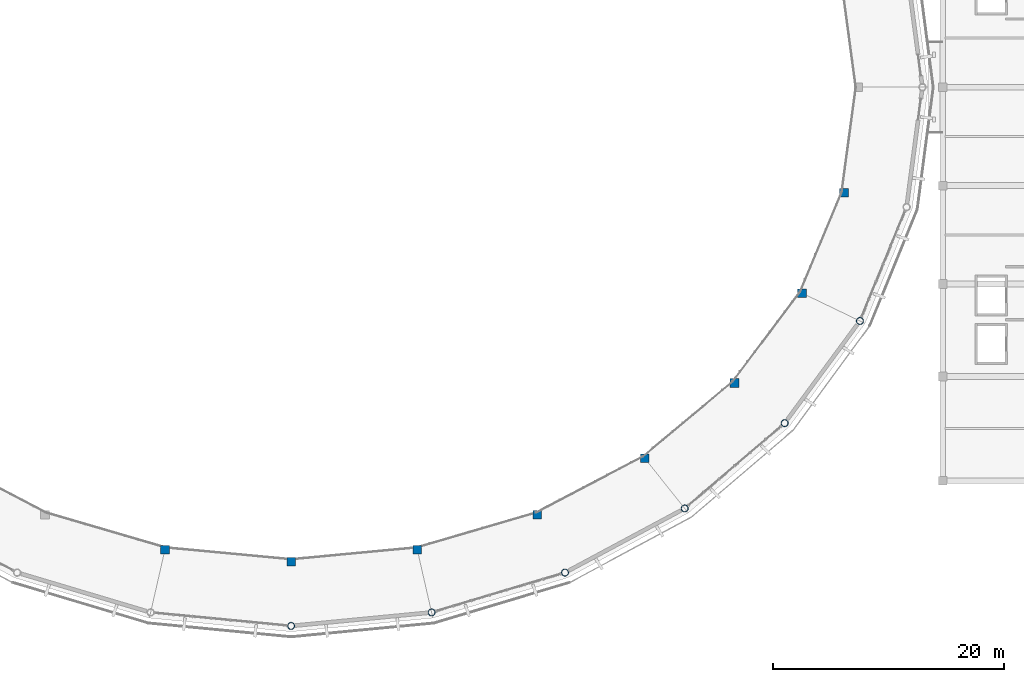
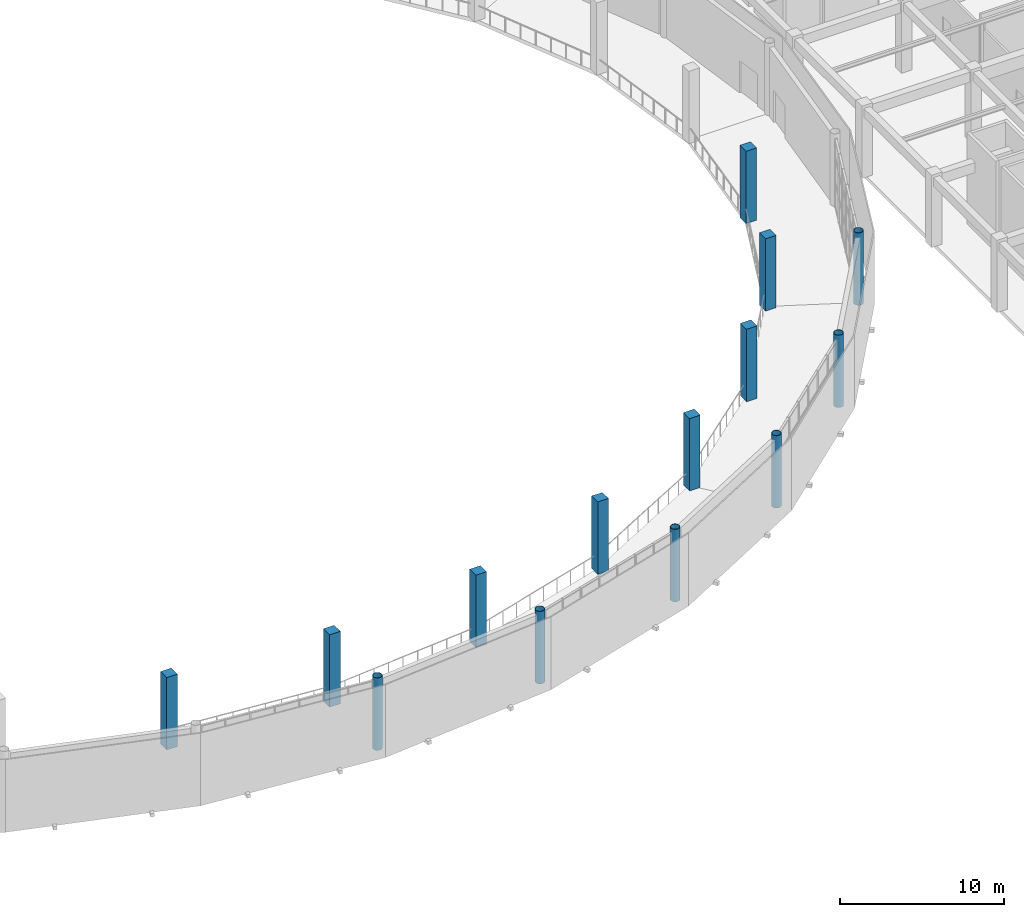
# One storey, part 3 of 40: 14 columns.
"""IFC4 building model written with IfcOpenShell, lengths in metres."""

from ifc_helpers import new_model, si_unit, direction, frame, origin, origin_2d, place, context, subcontext, project, spatial, rectangle, hollow_circle, extrude, material, material_profile, profile_set, type_object, element, save


model = new_model("IFC4")

# Units and contexts
model_context = context("Model", 3, precision=1e-05, world=origin(), true_north=direction((0.0, 1.0)))
body_context = subcontext(model_context, "Body", "Model", "MODEL_VIEW")
ifc_project = project(units=[si_unit("LENGTHUNIT", "METRE"), si_unit("AREAUNIT", "SQUARE_METRE"), si_unit("VOLUMEUNIT", "CUBIC_METRE"), si_unit("PLANEANGLEUNIT", "RADIAN"), si_unit("MASSUNIT", "GRAM", prefix="KILO")], contexts=[model_context])

# Site, building, storey
site_placement = place(None, origin())
site = spatial("IfcSite", under=ifc_project, at=site_placement, CompositionType="ELEMENT")
building_placement = place(site_placement, origin())
building = spatial("IfcBuilding", under=site, at=building_placement, Name="Cuetzalor Civic Arena", CompositionType="ELEMENT")
storey_placement = place(building_placement, frame((0.0, 0.0, 26.39990234375)))
storey = spatial("IfcBuildingStorey", under=building, at=storey_placement, Name="L05", CompositionType="ELEMENT", Elevation=26.39990234375)

# Columns
ifc_material_1 = material(Name="Concrete C40/50", Category="concrete")
ifc_material_profile_1 = material_profile(ifc_material_1, rectangle(XDim=0.75, YDim=0.75, at=origin_2d()), Name="RC 750x750")
ifc_profile_set_1 = profile_set([ifc_material_profile_1], Name="Concrete C40/50")
column_type_1 = type_object("IfcColumnType", Name="ConcreteColumn_750", PredefinedType="COLUMN", material=ifc_profile_set_1)
for number, where, z_axis, x_axis, name in (
    (1, (-10.903564453125, -39.971923828125, 0.0), (0.0, 0.0, 1.0), (1.0, 0.0, 0.0), "Column V1-REC-21 L05"),
    (2, (0.0, -41.0, 0.0), (0.0, 0.0, 1.0), (1.0, 0.0, 0.0), "Column V1-REC-22 L05"),
    (3, (10.903564453125, -39.971923828125, 0.0), (0.0, 0.0, 1.0), (1.0, 0.0, 0.0), "Column V1-REC-23 L05"),
    (4, (21.26025390625, -36.939697265625, 0.0), (0.0, 0.0, 1.0), (1.0, 0.0, 0.0), "Column V1-REC-24 L05"),
    (5, (30.551025390625, -32.05517578125, 0.0), (0.0, 0.0, 1.0), (1.0, 0.0, 0.0), "Column V1-REC-25 L05"),
    (6, (38.309814453125, -25.56298828125, 0.0), (0.0, 0.0, 1.0), (1.0, 0.0, 0.0), "Column V1-REC-26 L05"),
    (7, (44.1474609375, -17.789306640625, 0.0), (0.0, 0.0, 1.0), (1.0, 0.0, 0.0), "Column V1-REC-27 L05"),
    (8, (47.771484375, -9.123291015625, 0.0), (0.0, 0.0, 1.0), (1.0, 0.0, 0.0), "Column V1-REC-28 L05"),
):
    element("IfcColumn", number, at=place(storey_placement, frame(where, z_axis=z_axis, x_axis=x_axis)), inside=storey, type_object=column_type_1, Name=name, PredefinedType="COLUMN", context=body_context, shape_type="SweptSolid", body=[
        extrude(rectangle(XDim=0.75, YDim=0.75, at=origin_2d()), origin(), (0.0, 0.0, 1.0), 5.400146484375),
    ])
ifc_material_2 = material(Name="Steel S355", Category="steel")
ifc_material_profile_2 = material_profile(ifc_material_2, hollow_circle(Radius=0.304931640625, WallThickness=0.02490234375, at=origin_2d()), Name="CHS 610x25")
ifc_profile_set_2 = profile_set([ifc_material_profile_2], Name="Steel S355")
column_type_2 = type_object("IfcColumnType", Name="SteelDomePylon_CHS610", PredefinedType="COLUMN", material=ifc_profile_set_2)
for number, where, z_axis, x_axis, name in (
    (9, (0.0, -46.550048828125, 0.0), (0.0, 0.0, 1.0), (1.0, 0.0, 0.0), "Column V1-PYL-22 L05"),
    (10, (12.138427734375, -45.3828125, 0.0), (0.0, 0.0, 1.0), (1.0, 0.0, 0.0), "Column V1-PYL-23 L05"),
    (11, (23.66845703125, -41.940185546875, 0.0), (0.0, 0.0, 1.0), (1.0, 0.0, 0.0), "Column V1-PYL-24 L05"),
    (12, (34.011474609375, -36.394287109375, 0.0), (0.0, 0.0, 1.0), (1.0, 0.0, 0.0), "Column V1-PYL-25 L05"),
    (13, (42.64892578125, -29.0234375, 0.0), (0.0, 0.0, 1.0), (1.0, 0.0, 0.0), "Column V1-PYL-26 L05"),
    (14, (49.14794921875, -20.197265625, 0.0), (0.0, 0.0, 1.0), (1.0, 0.0, 0.0), "Column V1-PYL-27 L05"),
):
    element("IfcColumn", number, at=place(storey_placement, frame(where, z_axis=z_axis, x_axis=x_axis)), inside=storey, type_object=column_type_2, Name=name, PredefinedType="COLUMN", context=body_context, shape_type="SweptSolid", body=[
        extrude(hollow_circle(Radius=0.304931640625, WallThickness=0.02490234375, at=origin_2d()), origin(), (0.0, 0.0, 1.0), 5.400146484375),
    ])

save(model, "model.ifc")
